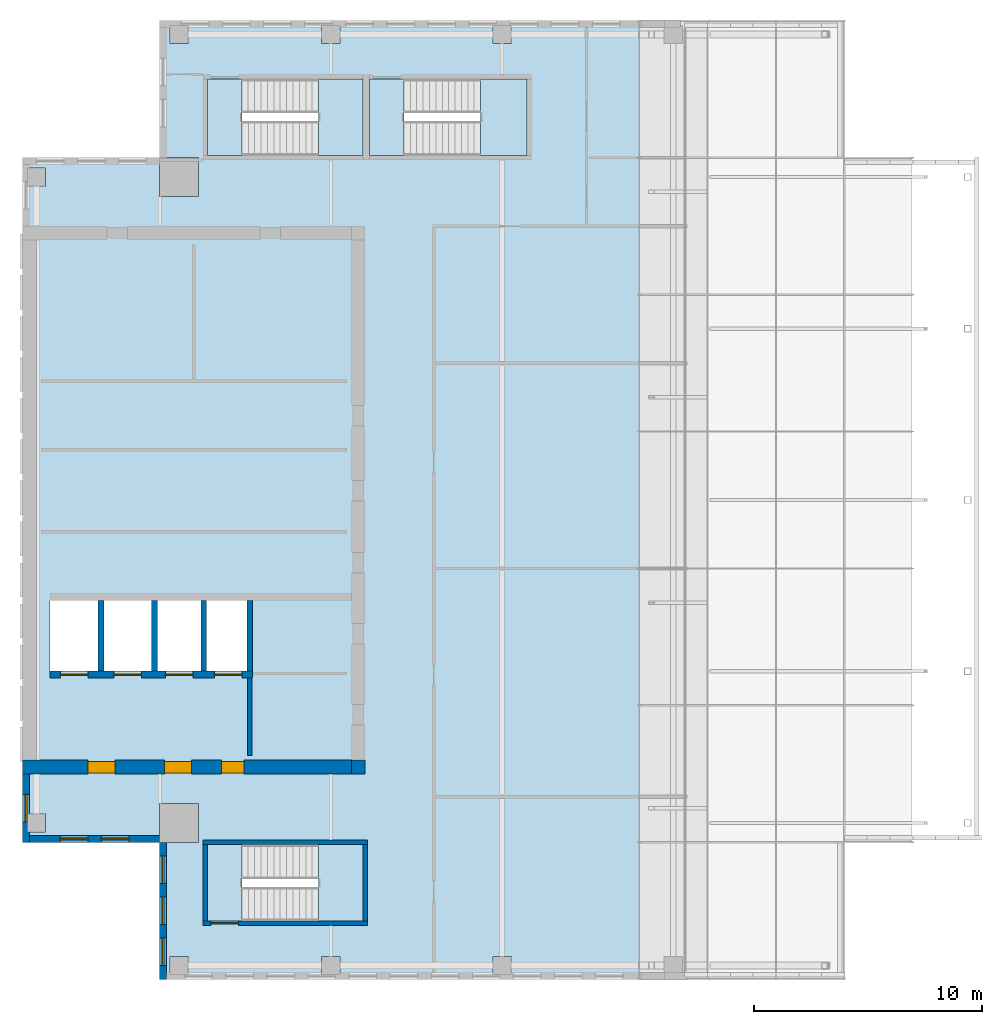
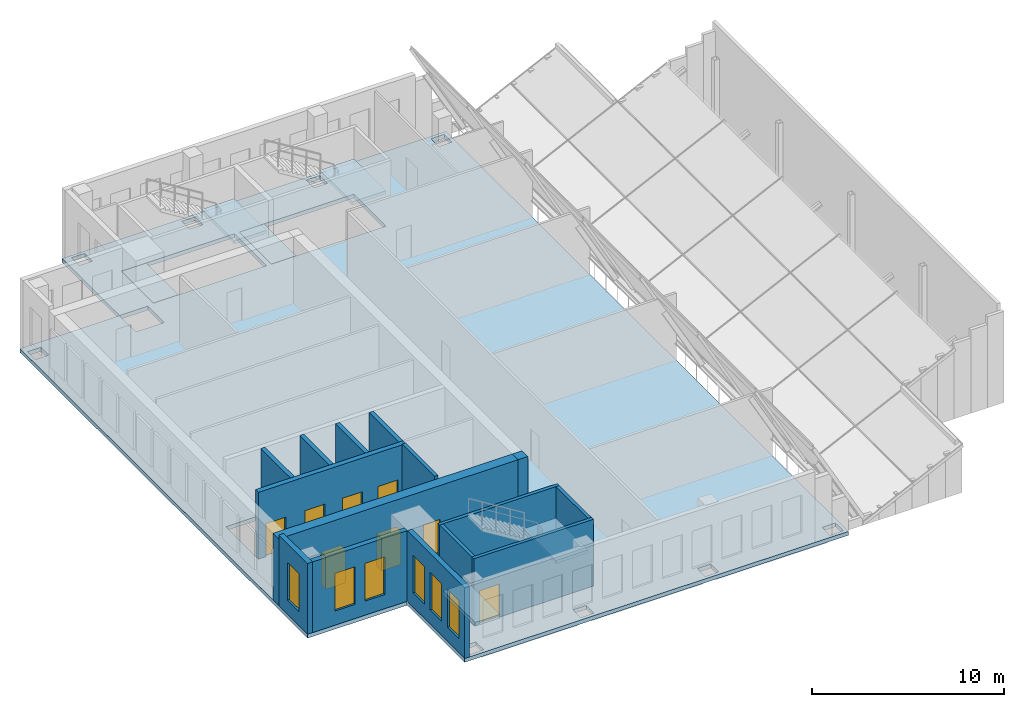
# One storey, part 4 of 11: 15 walls, 8 doors, 7 slabs, 6 windows, 14 openings, 3 elements without a shape of their own.
"""IFC4 building model written with IfcOpenShell, lengths in metres."""

from ifc_helpers import new_model, si_unit, direction, frame, frame_2d, origin, place, context, subcontext, project, spatial, polyline, rectangle, outline, extrude, source, transform, mapped, material, layer, layer_set, type_object, element, fill, aggregate, save


model = new_model("IFC4")

# Units and contexts
model_context = context("Model", 3, precision=1e-05, world=origin(), true_north=direction((0.0, 1.0)))
body_context = subcontext(model_context, "Body", "Model", "MODEL_VIEW")
ifc_project = project(units=[si_unit("LENGTHUNIT", "METRE"), si_unit("AREAUNIT", "SQUARE_METRE"), si_unit("VOLUMEUNIT", "CUBIC_METRE"), si_unit("PLANEANGLEUNIT", "RADIAN"), si_unit("MASSUNIT", "GRAM", prefix="KILO")], contexts=[model_context])

# Site, building, storey
site_placement = place(None, origin())
site = spatial("IfcSite", under=ifc_project, at=site_placement, CompositionType="ELEMENT")
building_placement = place(site_placement, origin())
building = spatial("IfcBuilding", under=site, at=building_placement, Name="Khomas Fold Tower", CompositionType="ELEMENT")
storey_placement = place(building_placement, frame((0.0, 0.0, 334.699951171875)))
storey = spatial("IfcBuildingStorey", under=building, at=storey_placement, Name="C2", CompositionType="ELEMENT", Elevation=334.699951171875)

# Slab
ifc_material_1 = material(Name="Concrete C40/50", Category="concrete")
ifc_layer_1 = layer(ifc_material_1, 0.25)
ifc_layer_set_1 = layer_set([ifc_layer_1], Name="Concrete C40/50")
slab_type_1 = type_object("IfcSlabType", Name="RC floor slab 250", PredefinedType="FLOOR", material=ifc_layer_set_1)
shared_shape_1 = source(origin(), body_context, "Body", "SweptSolid", [
    extrude(outline(polyline([(6.0, 12.0), (11.9951171875, 12.0), (11.9951171875, 13.705078125), (13.705078125, 13.705078125), (13.705078125, 11.9951171875), (12.0, 11.9951171875), (12.0, 6.0), (35.115234375, 6.0), (35.115234375, 48.0), (12.0, 48.0), (12.0, 42.0048828125), (13.705078125, 42.0048828125), (13.705078125, 40.294921875), (11.9951171875, 40.294921875), (11.9951171875, 42.0), (6.0, 42.0), (6.0, 12.0)]), holes=[polyline([(6.195068359375, 12.445068359375), (6.195068359375, 13.2548828125), (7.0048828125, 13.2548828125), (7.0048828125, 12.445068359375), (6.195068359375, 12.445068359375)]), polyline([(6.195068359375, 40.7451171875), (6.195068359375, 41.554931640625), (7.0048828125, 41.554931640625), (7.0048828125, 40.7451171875), (6.195068359375, 40.7451171875)]), polyline([(7.199951171875, 19.5), (7.199951171875, 22.60009765625), (9.300048828125, 22.60009765625), (9.300048828125, 19.5), (7.199951171875, 19.5)]), polyline([(9.550048828125, 19.5), (9.550048828125, 22.60009765625), (11.64990234375, 22.60009765625), (11.64990234375, 19.5), (9.550048828125, 19.5)]), polyline([(11.89990234375, 19.5), (11.89990234375, 22.60009765625), (13.800048828125, 22.60009765625), (13.800048828125, 19.5), (11.89990234375, 19.5)]), polyline([(12.445068359375, 6.195068359375), (12.445068359375, 7.0048828125), (13.2548828125, 7.0048828125), (13.2548828125, 6.195068359375), (12.445068359375, 6.195068359375)]), polyline([(12.445068359375, 46.9951171875), (12.445068359375, 47.804931640625), (13.2548828125, 47.804931640625), (13.2548828125, 46.9951171875), (12.445068359375, 46.9951171875)]), polyline([(14.050048828125, 19.5), (14.050048828125, 22.60009765625), (15.949951171875, 22.60009765625), (15.949951171875, 19.5), (14.050048828125, 19.5)]), polyline([(14.10009765625, 8.550048828125), (14.10009765625, 11.89990234375), (20.89990234375, 11.89990234375), (20.89990234375, 8.550048828125), (14.10009765625, 8.550048828125)]), polyline([(14.10009765625, 42.10009765625), (14.10009765625, 45.449951171875), (20.89990234375, 45.449951171875), (20.89990234375, 42.10009765625), (14.10009765625, 42.10009765625)]), polyline([(19.094970703125, 6.195068359375), (19.094970703125, 7.0048828125), (19.905029296875, 7.0048828125), (19.905029296875, 6.195068359375), (19.094970703125, 6.195068359375)]), polyline([(19.094970703125, 46.9951171875), (19.094970703125, 47.804931640625), (19.905029296875, 47.804931640625), (19.905029296875, 46.9951171875), (19.094970703125, 46.9951171875)]), polyline([(21.199951171875, 42.10009765625), (21.199951171875, 45.449951171875), (28.10009765625, 45.449951171875), (28.10009765625, 42.10009765625), (21.199951171875, 42.10009765625)]), polyline([(26.594970703125, 6.195068359375), (26.594970703125, 7.0048828125), (27.405029296875, 7.0048828125), (27.405029296875, 6.195068359375), (26.594970703125, 6.195068359375)]), polyline([(26.594970703125, 46.9951171875), (26.594970703125, 47.804931640625), (27.405029296875, 47.804931640625), (27.405029296875, 46.9951171875), (26.594970703125, 46.9951171875)]), polyline([(34.094970703125, 6.195068359375), (34.094970703125, 7.0048828125), (34.905029296875, 7.0048828125), (34.905029296875, 6.195068359375), (34.094970703125, 6.195068359375)]), polyline([(34.094970703125, 46.9951171875), (34.094970703125, 47.804931640625), (34.905029296875, 47.804931640625), (34.905029296875, 46.9951171875), (34.094970703125, 46.9951171875)])]), origin(), (0.0, 0.0, 1.0), 0.25),
])
slab_1_placement = place(storey_placement, frame((0.0, 0.0, -0.25)))
element("IfcSlab", 1, at=slab_1_placement, inside=storey, type_object=slab_type_1, Name="S-C2", PredefinedType="FLOOR", context=body_context, shape_type="MappedRepresentation", body=[
    mapped(shared_shape_1, transform((0.0, 0.0, 0.0))),
])

# Stair, slab
ifc_material_2 = material(Name="Concrete C40/50", Category="concrete")
stair_type_1 = type_object("IfcStairType", Name="Stair ST1", PredefinedType="HALF_TURN_STAIR", material=ifc_material_2)
stair_1_placement = place(storey_placement, origin())
stair_1 = element("IfcStair", 2, at=stair_1_placement, inside=storey, type_object=stair_type_1, Name="C2 ST1", PredefinedType="HALF_TURN_STAIR")
ifc_material_3 = material(Name="Concrete C40/50", Category="concrete")
ifc_layer_2 = layer(ifc_material_3, 0.199951171875)
ifc_layer_set_2 = layer_set([ifc_layer_2], Name="Concrete C40/50")
slab_type_2 = type_object("IfcSlabType", Name="Stair landing 200", PredefinedType="LANDING", material=ifc_layer_set_2)
shared_shape_2 = source(origin(), body_context, "Body", "SweptSolid", [
    extrude(outline(polyline([(18.9599609375, 42.10009765625), (20.89990234375, 42.10009765625), (20.89990234375, 45.449951171875), (18.9599609375, 45.449951171875), (18.9599609375, 42.10009765625)])), origin(), (0.0, 0.0, 1.0), 0.199951171875),
])
slab_2_placement = place(storey_placement, frame((0.0, 0.0, 2.050048828125)))
slab_2 = element("IfcSlab", 3, at=slab_2_placement, type_object=slab_type_2, Name="ST1 landing 1", PredefinedType="LANDING", context=body_context, shape_type="MappedRepresentation", body=[
    mapped(shared_shape_2, transform((0.0, 0.0, 0.0))),
])
aggregate(stair_1, [slab_2])

# Slab
ifc_material_4 = material(Name="Concrete C40/50", Category="concrete")
ifc_layer_3 = layer(ifc_material_4, 0.25)
ifc_layer_set_3 = layer_set([ifc_layer_3], Name="Concrete C40/50")
slab_type_3 = type_object("IfcSlabType", Name="Stair floor landing 250", PredefinedType="LANDING", material=ifc_layer_set_3)
shared_shape_3 = source(origin(), body_context, "Body", "SweptSolid", [
    extrude(outline(polyline([(14.10009765625, 45.449951171875), (15.60009765625, 45.449951171875), (15.60009765625, 42.10009765625), (14.10009765625, 42.10009765625), (14.10009765625, 45.449951171875)])), origin(), (0.0, 0.0, 1.0), 0.25),
])
slab_3_placement = place(storey_placement, frame((0.0, 0.0, -0.25)))
element("IfcSlab", 4, at=slab_3_placement, inside=storey, type_object=slab_type_3, Name="ST1 floor landing", PredefinedType="LANDING", context=body_context, shape_type="MappedRepresentation", body=[
    mapped(shared_shape_3, transform((0.0, 0.0, 0.0))),
])

# Stair, slab
ifc_material_5 = material(Name="Concrete C40/50", Category="concrete")
stair_type_2 = type_object("IfcStairType", Name="Stair ST2", PredefinedType="HALF_TURN_STAIR", material=ifc_material_5)
stair_2_placement = place(storey_placement, origin())
stair_2 = element("IfcStair", 5, at=stair_2_placement, inside=storey, type_object=stair_type_2, Name="C2 ST2", PredefinedType="HALF_TURN_STAIR")
shared_shape_4 = source(origin(), body_context, "Body", "SweptSolid", [
    extrude(outline(polyline([(18.9599609375, 8.550048828125), (20.89990234375, 8.550048828125), (20.89990234375, 11.89990234375), (18.9599609375, 11.89990234375), (18.9599609375, 8.550048828125)])), origin(), (0.0, 0.0, 1.0), 0.199951171875),
])
slab_4_placement = place(storey_placement, frame((0.0, 0.0, 2.050048828125)))
slab_4 = element("IfcSlab", 6, at=slab_4_placement, type_object=slab_type_2, Name="ST2 landing 1", PredefinedType="LANDING", context=body_context, shape_type="MappedRepresentation", body=[
    mapped(shared_shape_4, transform((0.0, 0.0, 0.0))),
])
aggregate(stair_2, [slab_4])

# Slab
shared_shape_5 = source(origin(), body_context, "Body", "SweptSolid", [
    extrude(outline(polyline([(14.10009765625, 11.89990234375), (15.60009765625, 11.89990234375), (15.60009765625, 8.550048828125), (14.10009765625, 8.550048828125), (14.10009765625, 11.89990234375)])), origin(), (0.0, 0.0, 1.0), 0.25),
])
slab_5_placement = place(storey_placement, frame((0.0, 0.0, -0.25)))
element("IfcSlab", 7, at=slab_5_placement, inside=storey, type_object=slab_type_3, Name="ST2 floor landing", PredefinedType="LANDING", context=body_context, shape_type="MappedRepresentation", body=[
    mapped(shared_shape_5, transform((0.0, 0.0, 0.0))),
])

# Stair, slab
ifc_material_6 = material(Name="Concrete C40/50", Category="concrete")
stair_type_3 = type_object("IfcStairType", Name="Stair ST3", PredefinedType="HALF_TURN_STAIR", material=ifc_material_6)
stair_3_placement = place(storey_placement, origin())
stair_3 = element("IfcStair", 8, at=stair_3_placement, inside=storey, type_object=stair_type_3, Name="C2 ST3", PredefinedType="HALF_TURN_STAIR")
shared_shape_6 = source(origin(), body_context, "Body", "SweptSolid", [
    extrude(outline(polyline([(26.06005859375, 42.10009765625), (28.10009765625, 42.10009765625), (28.10009765625, 45.449951171875), (26.06005859375, 45.449951171875), (26.06005859375, 42.10009765625)])), origin(), (0.0, 0.0, 1.0), 0.199951171875),
])
slab_6_placement = place(storey_placement, frame((0.0, 0.0, 2.050048828125)))
slab_6 = element("IfcSlab", 9, at=slab_6_placement, type_object=slab_type_2, Name="ST3 landing 1", PredefinedType="LANDING", context=body_context, shape_type="MappedRepresentation", body=[
    mapped(shared_shape_6, transform((0.0, 0.0, 0.0))),
])
aggregate(stair_3, [slab_6])

# Slab
shared_shape_7 = source(origin(), body_context, "Body", "SweptSolid", [
    extrude(outline(polyline([(21.199951171875, 45.449951171875), (22.699951171875, 45.449951171875), (22.699951171875, 42.10009765625), (21.199951171875, 42.10009765625), (21.199951171875, 45.449951171875)])), origin(), (0.0, 0.0, 1.0), 0.25),
])
slab_7_placement = place(storey_placement, frame((0.0, 0.0, -0.25)))
element("IfcSlab", 10, at=slab_7_placement, inside=storey, type_object=slab_type_3, Name="ST3 floor landing", PredefinedType="LANDING", context=body_context, shape_type="MappedRepresentation", body=[
    mapped(shared_shape_7, transform((0.0, 0.0, 0.0))),
])

# Wall, openings, doors
ifc_material_7 = material(Name="Concrete C50/60", Category="concrete")
ifc_layer_4 = layer(ifc_material_7, 0.60009765625)
ifc_layer_set_4 = layer_set([ifc_layer_4], Name="Concrete C50/60")
wall_type_1 = type_object("IfcWallType", Name="Core wall 600", PredefinedType="SHEAR", material=ifc_layer_set_4)
shared_shape_8 = source(origin(), body_context, "Body", "SweptSolid", [
    extrude(rectangle(XDim=14.39990234375, YDim=0.60009765625, at=frame_2d((7.199951171875, 0.0))), origin(), (0.0, 0.0, 1.0), 4.25),
])
wall_1_placement = place(storey_placement, frame((6.0, 15.300048828125, 0.0), z_axis=(0.0, 0.0, 1.0), x_axis=(1.0, 0.0, 0.0)))
wall_1 = element("IfcWall", 11, at=wall_1_placement, inside=storey, type_object=wall_type_1, Name="Core wall CW-U-S-L63", PredefinedType="SHEAR", context=body_context, shape_type="MappedRepresentation", body=[
    mapped(shared_shape_8, transform((0.0, 0.0, 0.0))),
])
shared_shape_9 = source(origin(), body_context, "Body", "SweptSolid", [
    extrude(rectangle(XDim=1.199951171875, YDim=2.10009765625, at=frame_2d((0.60009765625, 1.050048828125))), frame((0.0, 0.31005859375, 0.0), z_axis=(0.0, -1.0, 0.0), x_axis=(1.0, 0.0, 0.0)), (0.0, 0.0, 1.0), 0.6201171875),
])
opening_1_placement = place(wall_1_placement, frame((6.199951171875, 0.0, 0.0)))
opening_1 = element("IfcOpeningElement", 12, at=opening_1_placement, cuts=wall_1, Name="Opening 0009", PredefinedType="OPENING", context=body_context, shape_type="MappedRepresentation", body=[
    mapped(shared_shape_9, transform((0.0, 0.0, 0.0))),
])
opening_2_placement = place(wall_1_placement, frame((2.85009765625, 0.0, 0.0)))
opening_2 = element("IfcOpeningElement", 13, at=opening_2_placement, cuts=wall_1, Name="Opening 0009", PredefinedType="OPENING", context=body_context, shape_type="MappedRepresentation", body=[
    mapped(shared_shape_9, transform((0.0, 0.0, 0.0))),
])
shared_shape_10 = source(origin(), body_context, "Body", "SweptSolid", [
    extrude(rectangle(XDim=1.0, YDim=2.10009765625, at=frame_2d((0.5, 1.050048828125))), frame((0.0, 0.31005859375, 0.0), z_axis=(0.0, -1.0, 0.0), x_axis=(1.0, 0.0, 0.0)), (0.0, 0.0, 1.0), 0.6201171875),
])
opening_3_placement = place(wall_1_placement, frame((8.699951171875, 0.0, 0.0)))
opening_3 = element("IfcOpeningElement", 14, at=opening_3_placement, cuts=wall_1, Name="Opening 0010", PredefinedType="OPENING", context=body_context, shape_type="MappedRepresentation", body=[
    mapped(shared_shape_10, transform((0.0, 0.0, 0.0))),
])
ifc_material_8 = material(Name="Steel door leaf", Category="steel")
door_type_1 = type_object("IfcDoorType", Name="Stair door 1000x2100 right-hand", OperationType="SINGLE_SWING_RIGHT", PredefinedType="DOOR", material=ifc_material_8)
shared_shape_11 = source(origin(), body_context, "Body", "SweptSolid", [
    extrude(rectangle(XDim=1.0, YDim=2.10009765625, at=frame_2d((0.5, 1.050048828125))), frame((0.0, 0.25, 0.0), z_axis=(0.0, -1.0, 0.0), x_axis=(1.0, 0.0, 0.0)), (0.0, 0.0, 1.0), 0.5),
])
door_1_placement = place(opening_3_placement, origin())
door_1 = element("IfcDoor", 15, at=door_1_placement, inside=storey, type_object=door_type_1, Name="Stair door", OperationType="SINGLE_SWING_RIGHT", OverallHeight=2.10009765625, OverallWidth=1.0, PredefinedType="DOOR", context=body_context, shape_type="MappedRepresentation", body=[
    mapped(shared_shape_11, transform((0.0, 0.0, 0.0))),
])
fill(opening_3, door_1)
ifc_material_9 = material(Name="Steel door leaf", Category="steel")
door_type_2 = type_object("IfcDoorType", Name="Lobby door 1200x2100 right-hand", OperationType="SINGLE_SWING_RIGHT", PredefinedType="DOOR", material=ifc_material_9)
shared_shape_12 = source(origin(), body_context, "Body", "SweptSolid", [
    extrude(rectangle(XDim=1.199951171875, YDim=2.10009765625, at=frame_2d((0.60009765625, 1.050048828125))), frame((0.0, 0.25, 0.0), z_axis=(0.0, -1.0, 0.0), x_axis=(1.0, 0.0, 0.0)), (0.0, 0.0, 1.0), 0.5),
])
door_2_placement = place(opening_1_placement, origin())
door_2 = element("IfcDoor", 16, at=door_2_placement, inside=storey, type_object=door_type_2, Name="Lobby door", OperationType="SINGLE_SWING_RIGHT", OverallHeight=2.10009765625, OverallWidth=1.199951171875, PredefinedType="DOOR", context=body_context, shape_type="MappedRepresentation", body=[
    mapped(shared_shape_12, transform((0.0, 0.0, 0.0))),
])
fill(opening_1, door_2)
door_3_placement = place(opening_2_placement, origin())
door_3 = element("IfcDoor", 17, at=door_3_placement, inside=storey, type_object=door_type_2, Name="Lobby door", OperationType="SINGLE_SWING_RIGHT", OverallHeight=2.10009765625, OverallWidth=1.199951171875, PredefinedType="DOOR", context=body_context, shape_type="MappedRepresentation", body=[
    mapped(shared_shape_12, transform((0.0, 0.0, 0.0))),
])
fill(opening_2, door_3)

# Walls
ifc_material_10 = material(Name="Concrete C50/60", Category="concrete")
ifc_layer_5 = layer(ifc_material_10, 0.60009765625)
ifc_layer_set_5 = layer_set([ifc_layer_5], Name="Concrete C50/60")
wall_type_2 = type_object("IfcWallType", Name="Core corner wall 600", PredefinedType="SHEAR", material=ifc_layer_set_5)
shared_shape_13 = source(origin(), body_context, "Body", "SweptSolid", [
    extrude(rectangle(XDim=0.60009765625, YDim=0.60009765625, at=frame_2d((0.300048828125, 0.0))), origin(), (0.0, 0.0, 1.0), 4.25),
])
wall_2_placement = place(storey_placement, frame((20.39990234375, 15.300048828125, 0.0), z_axis=(0.0, 0.0, 1.0), x_axis=(1.0, 0.0, 0.0)))
element("IfcWall", 18, at=wall_2_placement, inside=storey, type_object=wall_type_2, Name="Core wall CW-U-SE-L63", PredefinedType="SHEAR", context=body_context, shape_type="MappedRepresentation", body=[
    mapped(shared_shape_13, transform((0.0, 0.0, 0.0))),
])
ifc_material_11 = material(Name="Concrete C50/60", Category="concrete")
ifc_layer_6 = layer(ifc_material_11, 0.199951171875)
ifc_layer_set_6 = layer_set([ifc_layer_6], Name="Concrete C50/60")
wall_type_3 = type_object("IfcWallType", Name="Stair wall 200", PredefinedType="SHEAR", material=ifc_layer_set_6)
shared_shape_14 = source(origin(), body_context, "Body", "SweptSolid", [
    extrude(rectangle(XDim=7.2001953125, YDim=0.199951171875, at=frame_2d((3.60009765625, 0.0))), origin(), (0.0, 0.0, 1.0), 4.25),
])
wall_3_placement = place(storey_placement, frame((13.89990234375, 12.0, 0.0), z_axis=(0.0, 0.0, 1.0), x_axis=(1.0, 0.0, 0.0)))
element("IfcWall", 19, at=wall_3_placement, inside=storey, type_object=wall_type_3, Name="Stair wall SW-ST2-NH", PredefinedType="SHEAR", context=body_context, shape_type="MappedRepresentation", body=[
    mapped(shared_shape_14, transform((0.0, 0.0, 0.0))),
])

# Wall, opening, door
wall_4_placement = place(storey_placement, frame((13.89990234375, 8.449951171875, 0.0), z_axis=(0.0, 0.0, 1.0), x_axis=(1.0, 0.0, 0.0)))
wall_4 = element("IfcWall", 20, at=wall_4_placement, inside=storey, type_object=wall_type_3, Name="Stair wall SW-ST2-S", PredefinedType="SHEAR", context=body_context, shape_type="MappedRepresentation", body=[
    mapped(shared_shape_14, transform((0.0, 0.0, 0.0))),
])
shared_shape_15 = source(origin(), body_context, "Body", "SweptSolid", [
    extrude(rectangle(XDim=1.199951171875, YDim=2.10009765625, at=frame_2d((0.60009765625, 1.050048828125))), frame((0.0, 0.10986328125, 0.0), z_axis=(0.0, -1.0, 0.0), x_axis=(1.0, 0.0, 0.0)), (0.0, 0.0, 1.0), 0.219970703125),
])
opening_4_placement = place(wall_4_placement, frame((0.35009765625, 0.0, 0.0)))
opening_4 = element("IfcOpeningElement", 21, at=opening_4_placement, cuts=wall_4, Name="Opening SD-ST2", PredefinedType="OPENING", context=body_context, shape_type="MappedRepresentation", body=[
    mapped(shared_shape_15, transform((0.0, 0.0, 0.0))),
])
ifc_material_12 = material(Name="Steel door leaf", Category="steel")
door_type_3 = type_object("IfcDoorType", Name="Stair door 1200x2100 right-hand", OperationType="SINGLE_SWING_RIGHT", PredefinedType="DOOR", material=ifc_material_12)
shared_shape_16 = source(origin(), body_context, "Body", "SweptSolid", [
    extrude(rectangle(XDim=1.199951171875, YDim=2.10009765625, at=frame_2d((0.60009765625, 1.050048828125))), frame((0.0, 0.02490234375, 0.0), z_axis=(0.0, -1.0, 0.0), x_axis=(1.0, 0.0, 0.0)), (0.0, 0.0, 1.0), 0.050048828125),
])
door_4_placement = place(opening_4_placement, origin())
door_4 = element("IfcDoor", 22, at=door_4_placement, inside=storey, type_object=door_type_3, Name="Stair door", OperationType="SINGLE_SWING_RIGHT", OverallHeight=2.10009765625, OverallWidth=1.199951171875, PredefinedType="DOOR", context=body_context, shape_type="MappedRepresentation", body=[
    mapped(shared_shape_16, transform((0.0, 0.0, 0.0))),
])
fill(opening_4, door_4)

# Walls
shared_shape_17 = source(origin(), body_context, "Body", "SweptSolid", [
    extrude(rectangle(XDim=3.349853515625, YDim=0.199951171875, at=frame_2d((1.6748046875, 0.0))), origin(), (0.0, 0.0, 1.0), 4.25),
])
for number, where, z_axis, x_axis, name in (
    (23, (21.0, 8.550048828125, 0.0), (0.0, 0.0, 1.0), (0.0, 1.0, 0.0), "Stair wall SW-ST2-E"),
    (24, (14.0, 8.550048828125, 0.0), (0.0, 0.0, 1.0), (0.0, 1.0, 0.0), "Stair wall SW-ST2-W"),
):
    element("IfcWall", number, at=place(storey_placement, frame(where, z_axis=z_axis, x_axis=x_axis)), inside=storey, type_object=wall_type_3, Name=name, PredefinedType="SHEAR", context=body_context, shape_type="MappedRepresentation", body=[
        mapped(shared_shape_17, transform((0.0, 0.0, 0.0))),
    ])

# Wall, openings, doors
ifc_material_13 = material(Name="Concrete C50/60", Category="concrete")
ifc_layer_7 = layer(ifc_material_13, 0.300048828125)
ifc_layer_set_7 = layer_set([ifc_layer_7], Name="Concrete C50/60")
wall_type_4 = type_object("IfcWallType", Name="Shaft wall 300", PredefinedType="STANDARD", material=ifc_layer_set_7)
shared_shape_18 = source(origin(), body_context, "Body", "SweptSolid", [
    extrude(rectangle(XDim=8.875, YDim=0.300048828125, at=frame_2d((4.4375, 0.0))), origin(), (0.0, 0.0, 1.0), 4.25),
])
wall_5_placement = place(storey_placement, frame((7.199951171875, 19.35009765625, 0.0), z_axis=(0.0, 0.0, 1.0), x_axis=(1.0, 0.0, 0.0)))
wall_5 = element("IfcWall", 25, at=wall_5_placement, inside=storey, type_object=wall_type_4, Name="Core wall SW-FS-F", PredefinedType="STANDARD", context=body_context, shape_type="MappedRepresentation", body=[
    mapped(shared_shape_18, transform((0.0, 0.0, 0.0))),
])
shared_shape_19 = source(origin(), body_context, "Body", "SweptSolid", [
    extrude(rectangle(XDim=1.199951171875, YDim=2.10009765625, at=frame_2d((0.60009765625, 1.050048828125))), frame((0.0, 0.159912109375, 0.0), z_axis=(0.0, -1.0, 0.0), x_axis=(1.0, 0.0, 0.0)), (0.0, 0.0, 1.0), 0.320068359375),
])
opening_5_placement = place(wall_5_placement, frame((0.449951171875, 0.0, 0.0)))
opening_5 = element("IfcOpeningElement", 26, at=opening_5_placement, cuts=wall_5, Name="Opening LD-SV1", PredefinedType="OPENING", context=body_context, shape_type="MappedRepresentation", body=[
    mapped(shared_shape_19, transform((0.0, 0.0, 0.0))),
])
opening_6_placement = place(wall_5_placement, frame((2.800048828125, 0.0, 0.0)))
opening_6 = element("IfcOpeningElement", 27, at=opening_6_placement, cuts=wall_5, Name="Opening LD-SV2", PredefinedType="OPENING", context=body_context, shape_type="MappedRepresentation", body=[
    mapped(shared_shape_19, transform((0.0, 0.0, 0.0))),
])
opening_7_placement = place(wall_5_placement, frame((5.050048828125, 0.0, 0.0)))
opening_7 = element("IfcOpeningElement", 28, at=opening_7_placement, cuts=wall_5, Name="Opening LD-FF1", PredefinedType="OPENING", context=body_context, shape_type="MappedRepresentation", body=[
    mapped(shared_shape_19, transform((0.0, 0.0, 0.0))),
])
opening_8_placement = place(wall_5_placement, frame((7.199951171875, 0.0, 0.0)))
opening_8 = element("IfcOpeningElement", 29, at=opening_8_placement, cuts=wall_5, Name="Opening LD-FF2", PredefinedType="OPENING", context=body_context, shape_type="MappedRepresentation", body=[
    mapped(shared_shape_19, transform((0.0, 0.0, 0.0))),
])
ifc_material_14 = material(Name="Steel door leaf", Category="steel")
door_type_4 = type_object("IfcDoorType", Name="Landing door 1200x2100", OperationType="DOUBLE_DOOR_SLIDING", PredefinedType="DOOR", material=ifc_material_14)
door_5_placement = place(opening_5_placement, origin())
door_5 = element("IfcDoor", 30, at=door_5_placement, inside=storey, type_object=door_type_4, Name="Lift landing door", OperationType="DOUBLE_DOOR_SLIDING", OverallHeight=2.10009765625, OverallWidth=1.199951171875, PredefinedType="DOOR", context=body_context, shape_type="MappedRepresentation", body=[
    mapped(shared_shape_16, transform((0.0, 0.0, 0.0))),
])
fill(opening_5, door_5)
door_6_placement = place(opening_6_placement, origin())
door_6 = element("IfcDoor", 31, at=door_6_placement, inside=storey, type_object=door_type_4, Name="Lift landing door", OperationType="DOUBLE_DOOR_SLIDING", OverallHeight=2.10009765625, OverallWidth=1.199951171875, PredefinedType="DOOR", context=body_context, shape_type="MappedRepresentation", body=[
    mapped(shared_shape_16, transform((0.0, 0.0, 0.0))),
])
fill(opening_6, door_6)
door_7_placement = place(opening_7_placement, origin())
door_7 = element("IfcDoor", 32, at=door_7_placement, inside=storey, type_object=door_type_4, Name="Lift landing door", OperationType="DOUBLE_DOOR_SLIDING", OverallHeight=2.10009765625, OverallWidth=1.199951171875, PredefinedType="DOOR", context=body_context, shape_type="MappedRepresentation", body=[
    mapped(shared_shape_16, transform((0.0, 0.0, 0.0))),
])
fill(opening_7, door_7)
door_8_placement = place(opening_8_placement, origin())
door_8 = element("IfcDoor", 33, at=door_8_placement, inside=storey, type_object=door_type_4, Name="Lift landing door", OperationType="DOUBLE_DOOR_SLIDING", OverallHeight=2.10009765625, OverallWidth=1.199951171875, PredefinedType="DOOR", context=body_context, shape_type="MappedRepresentation", body=[
    mapped(shared_shape_16, transform((0.0, 0.0, 0.0))),
])
fill(opening_8, door_8)

# Walls
ifc_material_15 = material(Name="Concrete C50/60", Category="concrete")
ifc_layer_8 = layer(ifc_material_15, 0.25)
ifc_layer_set_8 = layer_set([ifc_layer_8], Name="Concrete C50/60")
wall_type_5 = type_object("IfcWallType", Name="Shaft wall 250", PredefinedType="STANDARD", material=ifc_layer_set_8)
shared_shape_20 = source(origin(), body_context, "Body", "SweptSolid", [
    extrude(rectangle(XDim=3.10009765625, YDim=0.25, at=frame_2d((1.550048828125, 0.0))), origin(), (0.0, 0.0, 1.0), 4.25),
])
for number, where, z_axis, x_axis, name in (
    (34, (9.425048828125, 19.5, 0.0), (0.0, 0.0, 1.0), (0.0, 1.0, 0.0), "Core wall SW-FS-P1"),
    (35, (11.77490234375, 19.5, 0.0), (0.0, 0.0, 1.0), (0.0, 1.0, 0.0), "Core wall SW-FS-P2"),
    (36, (13.925048828125, 19.5, 0.0), (0.0, 0.0, 1.0), (0.0, 1.0, 0.0), "Core wall SW-FS-P3"),
    (37, (15.949951171875, 19.5, 0.0), (0.0, 0.0, 1.0), (0.0, 1.0, 0.0), "Core wall SW-FS-PE"),
):
    element("IfcWall", number, at=place(storey_placement, frame(where, z_axis=z_axis, x_axis=x_axis)), inside=storey, type_object=wall_type_5, Name=name, PredefinedType="STANDARD", context=body_context, shape_type="MappedRepresentation", body=[
        mapped(shared_shape_20, transform((0.0, 0.0, 0.0))),
    ])

# Wall, openings, windows
ifc_material_16 = material(Name="Concrete C40/50", Category="concrete")
ifc_layer_9 = layer(ifc_material_16, 0.300048828125)
ifc_layer_set_9 = layer_set([ifc_layer_9], Name="Concrete C40/50")
wall_type_6 = type_object("IfcWallType", Name="Crown gable wall 300 CR-GW1", PredefinedType="SOLIDWALL", material=ifc_layer_set_9)
shared_shape_21 = source(origin(), body_context, "Body", "SweptSolid", [
    extrude(rectangle(XDim=5.699951171875, YDim=0.300048828125, at=frame_2d((2.85009765625, 0.0))), origin(), (0.0, 0.0, 1.0), 4.5),
])
wall_6_placement = place(storey_placement, frame((6.300048828125, 12.14990234375, 0.0), z_axis=(0.0, 0.0, 1.0), x_axis=(1.0, 0.0, 0.0)))
wall_6 = element("IfcWall", 38, at=wall_6_placement, inside=storey, type_object=wall_type_6, Name="Crown wall", PredefinedType="SOLIDWALL", context=body_context, shape_type="MappedRepresentation", body=[
    mapped(shared_shape_21, transform((0.0, 0.0, 0.0))),
])
shared_shape_22 = source(origin(), body_context, "Body", "SweptSolid", [
    extrude(rectangle(XDim=1.199951171875, YDim=2.39990234375, at=frame_2d((0.60009765625, 1.199951171875))), frame((0.0, 0.159912109375, 0.0), z_axis=(0.0, -1.0, 0.0), x_axis=(1.0, 0.0, 0.0)), (0.0, 0.0, 1.0), 0.320068359375),
])
opening_9_placement = place(wall_6_placement, frame((1.35009765625, 0.0, 0.89990234375)))
opening_9 = element("IfcOpeningElement", 39, at=opening_9_placement, cuts=wall_6, Name="Opening CR-LV", PredefinedType="OPENING", context=body_context, shape_type="MappedRepresentation", body=[
    mapped(shared_shape_22, transform((0.0, 0.0, 0.0))),
])
opening_10_placement = place(wall_6_placement, frame((3.14990234375, 0.0, 0.89990234375)))
opening_10 = element("IfcOpeningElement", 40, at=opening_10_placement, cuts=wall_6, Name="Opening CR-LV", PredefinedType="OPENING", context=body_context, shape_type="MappedRepresentation", body=[
    mapped(shared_shape_22, transform((0.0, 0.0, 0.0))),
])
ifc_material_17 = material(Name="Aluminium louvre", Category="aluminium")
window_type = type_object("IfcWindowType", Name="Crown plant louvre 1200 x 2400", PartitioningType="SINGLE_PANEL", PredefinedType="WINDOW", material=ifc_material_17)
shared_shape_23 = source(origin(), body_context, "Body", "SweptSolid", [
    extrude(rectangle(XDim=1.199951171875, YDim=2.39990234375, at=frame_2d((0.60009765625, 1.199951171875))), frame((0.0, 0.030029296875, 0.0), z_axis=(0.0, -1.0, 0.0), x_axis=(1.0, 0.0, 0.0)), (0.0, 0.0, 1.0), 0.06005859375),
])
window_1_placement = place(opening_9_placement, origin())
window_1 = element("IfcWindow", 41, at=window_1_placement, inside=storey, type_object=window_type, Name="Crown plant louvre", OverallHeight=2.39990234375, OverallWidth=1.199951171875, PartitioningType="SINGLE_PANEL", PredefinedType="WINDOW", context=body_context, shape_type="MappedRepresentation", body=[
    mapped(shared_shape_23, transform((0.0, 0.0, 0.0))),
])
fill(opening_9, window_1)
window_2_placement = place(opening_10_placement, origin())
window_2 = element("IfcWindow", 42, at=window_2_placement, inside=storey, type_object=window_type, Name="Crown plant louvre", OverallHeight=2.39990234375, OverallWidth=1.199951171875, PartitioningType="SINGLE_PANEL", PredefinedType="WINDOW", context=body_context, shape_type="MappedRepresentation", body=[
    mapped(shared_shape_23, transform((0.0, 0.0, 0.0))),
])
fill(opening_10, window_2)

shared_shape_24 = source(origin(), body_context, "Body", "SweptSolid", [
    extrude(rectangle(XDim=6.0, YDim=0.300048828125, at=frame_2d((3.0, 0.0))), origin(), (0.0, 0.0, 1.0), 4.5),
])
wall_7_placement = place(storey_placement, frame((12.14990234375, 12.0, 0.0), z_axis=(0.0, 0.0, 1.0), x_axis=(0.0, -1.0, 0.0)))
wall_7 = element("IfcWall", 43, at=wall_7_placement, inside=storey, type_object=wall_type_6, Name="Crown wall", PredefinedType="SOLIDWALL", context=body_context, shape_type="MappedRepresentation", body=[
    mapped(shared_shape_24, transform((0.0, 0.0, 0.0))),
])
opening_11_placement = place(wall_7_placement, frame((0.60009765625, 0.0, 0.89990234375)))
opening_11 = element("IfcOpeningElement", 44, at=opening_11_placement, cuts=wall_7, Name="Opening CR-LV", PredefinedType="OPENING", context=body_context, shape_type="MappedRepresentation", body=[
    mapped(shared_shape_22, transform((0.0, 0.0, 0.0))),
])
opening_12_placement = place(wall_7_placement, frame((2.39990234375, 0.0, 0.89990234375)))
opening_12 = element("IfcOpeningElement", 45, at=opening_12_placement, cuts=wall_7, Name="Opening CR-LV", PredefinedType="OPENING", context=body_context, shape_type="MappedRepresentation", body=[
    mapped(shared_shape_22, transform((0.0, 0.0, 0.0))),
])
opening_13_placement = place(wall_7_placement, frame((4.199951171875, 0.0, 0.89990234375)))
opening_13 = element("IfcOpeningElement", 46, at=opening_13_placement, cuts=wall_7, Name="Opening CR-LV", PredefinedType="OPENING", context=body_context, shape_type="MappedRepresentation", body=[
    mapped(shared_shape_22, transform((0.0, 0.0, 0.0))),
])
window_3_placement = place(opening_11_placement, origin())
window_3 = element("IfcWindow", 47, at=window_3_placement, inside=storey, type_object=window_type, Name="Crown plant louvre", OverallHeight=2.39990234375, OverallWidth=1.199951171875, PartitioningType="SINGLE_PANEL", PredefinedType="WINDOW", context=body_context, shape_type="MappedRepresentation", body=[
    mapped(shared_shape_23, transform((0.0, 0.0, 0.0))),
])
fill(opening_11, window_3)
window_4_placement = place(opening_12_placement, origin())
window_4 = element("IfcWindow", 48, at=window_4_placement, inside=storey, type_object=window_type, Name="Crown plant louvre", OverallHeight=2.39990234375, OverallWidth=1.199951171875, PartitioningType="SINGLE_PANEL", PredefinedType="WINDOW", context=body_context, shape_type="MappedRepresentation", body=[
    mapped(shared_shape_23, transform((0.0, 0.0, 0.0))),
])
fill(opening_12, window_4)
window_5_placement = place(opening_13_placement, origin())
window_5 = element("IfcWindow", 49, at=window_5_placement, inside=storey, type_object=window_type, Name="Crown plant louvre", OverallHeight=2.39990234375, OverallWidth=1.199951171875, PartitioningType="SINGLE_PANEL", PredefinedType="WINDOW", context=body_context, shape_type="MappedRepresentation", body=[
    mapped(shared_shape_23, transform((0.0, 0.0, 0.0))),
])
fill(opening_13, window_5)

# Wall, opening, window
shared_shape_25 = source(origin(), body_context, "Body", "SweptSolid", [
    extrude(rectangle(XDim=3.0, YDim=0.300048828125, at=frame_2d((1.5, 0.0))), origin(), (0.0, 0.0, 1.0), 4.5),
])
wall_8_placement = place(storey_placement, frame((6.14990234375, 15.0, 0.0), z_axis=(0.0, 0.0, 1.0), x_axis=(0.0, -1.0, 0.0)))
wall_8 = element("IfcWall", 50, at=wall_8_placement, inside=storey, type_object=wall_type_6, Name="Crown wall", PredefinedType="SOLIDWALL", context=body_context, shape_type="MappedRepresentation", body=[
    mapped(shared_shape_25, transform((0.0, 0.0, 0.0))),
])
opening_14_placement = place(wall_8_placement, frame((0.89990234375, 0.0, 0.89990234375)))
opening_14 = element("IfcOpeningElement", 51, at=opening_14_placement, cuts=wall_8, Name="Opening CR-LV", PredefinedType="OPENING", context=body_context, shape_type="MappedRepresentation", body=[
    mapped(shared_shape_22, transform((0.0, 0.0, 0.0))),
])
window_6_placement = place(opening_14_placement, origin())
window_6 = element("IfcWindow", 52, at=window_6_placement, inside=storey, type_object=window_type, Name="Crown plant louvre", OverallHeight=2.39990234375, OverallWidth=1.199951171875, PartitioningType="SINGLE_PANEL", PredefinedType="WINDOW", context=body_context, shape_type="MappedRepresentation", body=[
    mapped(shared_shape_23, transform((0.0, 0.0, 0.0))),
])
fill(opening_14, window_6)

# Wall
ifc_material_18 = material(Name="Concrete C30/37", Category="concrete")
ifc_layer_10 = layer(ifc_material_18, 0.199951171875)
ifc_layer_set_10 = layer_set([ifc_layer_10], Name="Concrete C30/37")
wall_type_7 = type_object("IfcWallType", Name="Lobby wall PW4 200", PredefinedType="PARTITIONING", material=ifc_layer_set_10)
shared_shape_26 = source(origin(), body_context, "Body", "SweptSolid", [
    extrude(rectangle(XDim=3.39990234375, YDim=0.199951171875, at=frame_2d((1.699951171875, 0.0))), origin(), (0.0, 0.0, 1.0), 4.300048828125),
])
wall_9_placement = place(storey_placement, frame((15.949951171875, 15.800048828125, 0.0), z_axis=(0.0, 0.0, 1.0), x_axis=(0.0, 1.0, 0.0)))
element("IfcWall", 53, at=wall_9_placement, inside=storey, type_object=wall_type_7, Name="Lobby wall", PredefinedType="PARTITIONING", context=body_context, shape_type="MappedRepresentation", body=[
    mapped(shared_shape_26, transform((0.0, 0.0, 0.0))),
])

save(model, "model.ifc")
